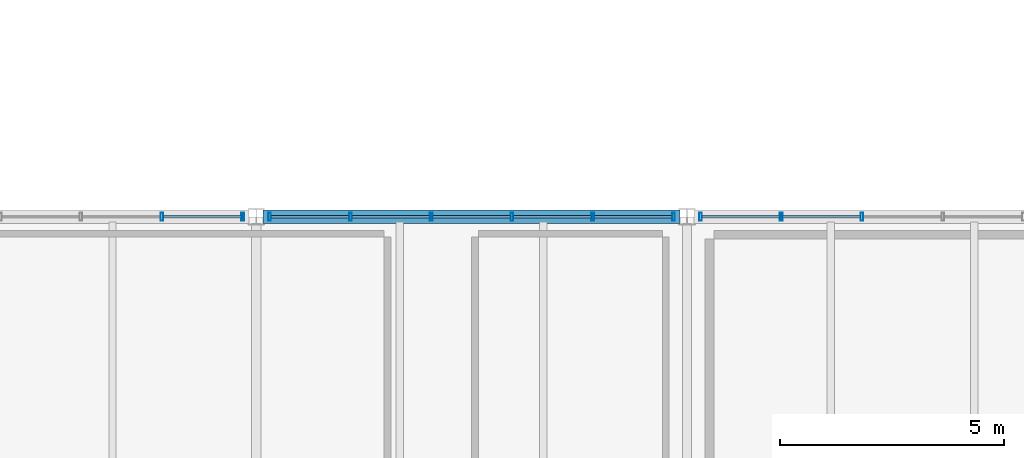
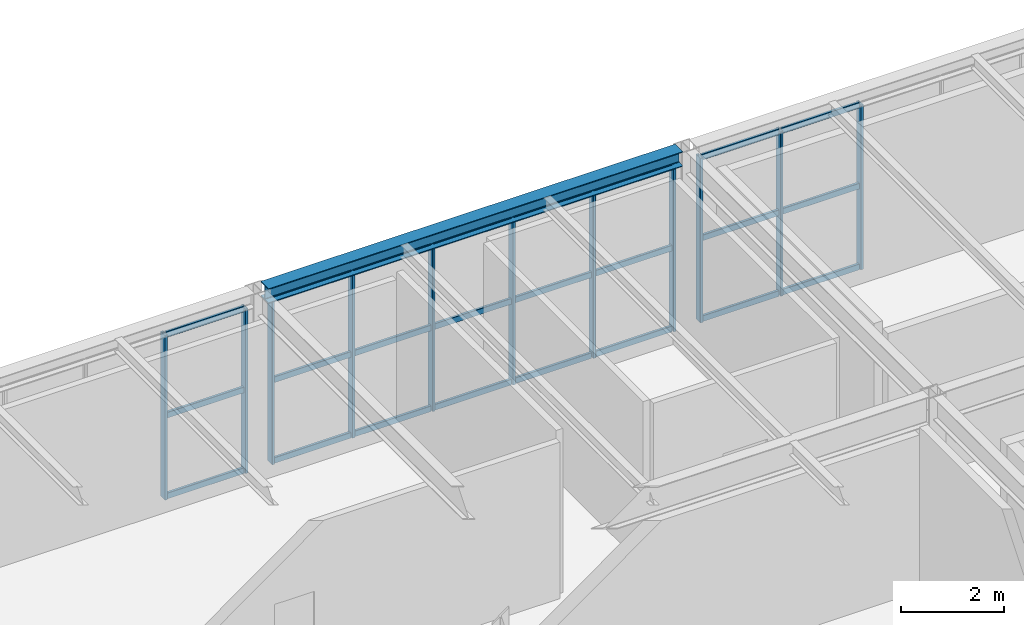
# One storey, part 64 of 170: 35 members, 1 beam, 3 elements without a shape of their own.
"""IFC4 building model written with IfcOpenShell, lengths in metres."""

from ifc_helpers import new_model, si_unit, direction, frame, origin, origin_2d, place, context, subcontext, project, spatial, hollow_rectangle, i_section, extrude, material, material_profile, profile_set, type_object, element, aggregate, save


model = new_model("IFC4")

# Units and contexts
model_context = context("Model", 3, precision=1e-05, world=origin(), true_north=direction((0.0, 1.0)))
body_context = subcontext(model_context, "Body", "Model", "MODEL_VIEW")
ifc_project = project(units=[si_unit("LENGTHUNIT", "METRE"), si_unit("AREAUNIT", "SQUARE_METRE"), si_unit("VOLUMEUNIT", "CUBIC_METRE"), si_unit("PLANEANGLEUNIT", "RADIAN"), si_unit("MASSUNIT", "GRAM", prefix="KILO")], contexts=[model_context])

# Site, building, storey
site_placement = place(None, origin())
site = spatial("IfcSite", under=ifc_project, at=site_placement, CompositionType="ELEMENT")
building_placement = place(site_placement, origin())
building = spatial("IfcBuilding", under=site, at=building_placement, Name="Coralgate Yard Interchange", CompositionType="ELEMENT")
storey_placement = place(building_placement, frame((0.0, 0.0, 6.0)))
storey = spatial("IfcBuildingStorey", under=building, at=storey_placement, Name="L01", CompositionType="ELEMENT", Elevation=6.0)

# Beam
ifc_material_1 = material(Name="Structural steel S355J2", Category="steel")
ifc_material_profile_1 = material_profile(ifc_material_1, i_section(OverallWidth=0.300048828125, OverallDepth=0.35009765625, WebThickness=0.010009765625, FlangeThickness=0.017578125, FilletRadius=0.027099609375, at=origin_2d()), Name="HEA 360")
ifc_profile_set_1 = profile_set([ifc_material_profile_1], Name="Structural steel S355J2")
beam_type = type_object("IfcBeamType", Name="BM-SP-1", PredefinedType="SPANDREL", material=ifc_profile_set_1)
beam_placement = place(storey_placement, frame((67.356201171875, 19.199951171875, 4.074951171875), z_axis=(1.0, 0.0, 0.0), x_axis=(0.0, 1.0, 0.0)))
element("IfcBeam", 1, at=beam_placement, inside=storey, type_object=beam_type, Name="L01 primary grid beam Y2 X7-8", PredefinedType="SPANDREL", context=body_context, shape_type="SweptSolid", body=[
    extrude(i_section(OverallWidth=0.300048828125, OverallDepth=0.35009765625, WebThickness=0.010009765625, FlangeThickness=0.017578125, FilletRadius=0.027099609375, at=origin_2d()), origin(), (0.0, 0.0, 1.0), 9.28759765625),
])

# Curtain wall, members
ifc_material_2 = material(Name="Anodised coastal aluminium and solar-control low-E glass", Category="aluminium")
curtain_wall_type = type_object("IfcCurtainWallType", Name="CW-CW-L01-B", PredefinedType="NOTDEFINED", material=ifc_material_2)
curtain_wall_1_placement = place(storey_placement, origin())
curtain_wall_1 = element("IfcCurtainWall", 2, at=curtain_wall_1_placement, inside=storey, type_object=curtain_wall_type, Name="L01 unitised curtain wall CW-L01-N-06-01", PredefinedType="NOTDEFINED")
ifc_material_3 = material(Name="Anodised coastal aluminium 6063-T6", Category="aluminium")
ifc_material_profile_2 = material_profile(ifc_material_3, hollow_rectangle(XDim=0.06005859375, YDim=0.179931640625, WallThickness=0.00390625, InnerFilletRadius=0.00390625, OuterFilletRadius=0.008056640625, at=origin_2d()), Name="ALU 60x180x4")
ifc_profile_set_2 = profile_set([ifc_material_profile_2], Name="Anodised coastal aluminium 6063-T6")
member_type_1 = type_object("IfcMemberType", Name="MB-MUL-180", PredefinedType="MULLION", material=ifc_profile_set_2)
member_1_placement = place(storey_placement, frame((65.10009765625, 19.199951171875, 0.0), z_axis=(0.0, 0.0, 1.0), x_axis=(1.0, 0.0, 0.0)))
member_1 = element("IfcMember", 3, at=member_1_placement, type_object=member_type_1, Name="CW-L01-N-06-01 vertical mullion 5", PredefinedType="MULLION", context=body_context, shape_type="SweptSolid", body=[
    extrude(hollow_rectangle(XDim=0.06005859375, YDim=0.179931640625, WallThickness=0.00390625, InnerFilletRadius=0.00390625, OuterFilletRadius=0.008056640625, at=origin_2d()), origin(), (0.0, 0.0, 1.0), 3.89990234375),
])
member_2_placement = place(storey_placement, frame((66.89990234375, 19.199951171875, 0.0), z_axis=(0.0, 0.0, 1.0), x_axis=(1.0, 0.0, 0.0)))
member_2 = element("IfcMember", 4, at=member_2_placement, type_object=member_type_1, Name="CW-L01-N-06-01 vertical mullion 6", PredefinedType="MULLION", context=body_context, shape_type="SweptSolid", body=[
    extrude(hollow_rectangle(XDim=0.06005859375, YDim=0.179931640625, WallThickness=0.00390625, InnerFilletRadius=0.00390625, OuterFilletRadius=0.008056640625, at=origin_2d()), origin(), (0.0, 0.0, 1.0), 3.89990234375),
])

curtain_wall_2_placement = place(storey_placement, origin())
curtain_wall_2 = element("IfcCurtainWall", 5, at=curtain_wall_2_placement, inside=storey, type_object=curtain_wall_type, Name="L01 unitised curtain wall CW-L01-N-07-01", PredefinedType="NOTDEFINED")
member_3_placement = place(storey_placement, frame((67.5, 19.199951171875, 0.0), z_axis=(0.0, 0.0, 1.0), x_axis=(1.0, 0.0, 0.0)))
member_3 = element("IfcMember", 6, at=member_3_placement, type_object=member_type_1, Name="CW-L01-N-07-01 vertical mullion 1", PredefinedType="MULLION", context=body_context, shape_type="SweptSolid", body=[
    extrude(hollow_rectangle(XDim=0.06005859375, YDim=0.179931640625, WallThickness=0.00390625, InnerFilletRadius=0.00390625, OuterFilletRadius=0.008056640625, at=origin_2d()), origin(), (0.0, 0.0, 1.0), 3.89990234375),
])
member_4_placement = place(storey_placement, frame((69.300048828125, 19.199951171875, 0.0), z_axis=(0.0, 0.0, 1.0), x_axis=(1.0, 0.0, 0.0)))
member_4 = element("IfcMember", 7, at=member_4_placement, type_object=member_type_1, Name="CW-L01-N-07-01 vertical mullion 2", PredefinedType="MULLION", context=body_context, shape_type="SweptSolid", body=[
    extrude(hollow_rectangle(XDim=0.06005859375, YDim=0.179931640625, WallThickness=0.00390625, InnerFilletRadius=0.00390625, OuterFilletRadius=0.008056640625, at=origin_2d()), origin(), (0.0, 0.0, 1.0), 3.89990234375),
])
member_5_placement = place(storey_placement, frame((71.10009765625, 19.199951171875, 0.0), z_axis=(0.0, 0.0, 1.0), x_axis=(1.0, 0.0, 0.0)))
member_5 = element("IfcMember", 8, at=member_5_placement, type_object=member_type_1, Name="CW-L01-N-07-01 vertical mullion 3", PredefinedType="MULLION", context=body_context, shape_type="SweptSolid", body=[
    extrude(hollow_rectangle(XDim=0.06005859375, YDim=0.179931640625, WallThickness=0.00390625, InnerFilletRadius=0.00390625, OuterFilletRadius=0.008056640625, at=origin_2d()), origin(), (0.0, 0.0, 1.0), 3.89990234375),
])
member_6_placement = place(storey_placement, frame((72.89990234375, 19.199951171875, 0.0), z_axis=(0.0, 0.0, 1.0), x_axis=(1.0, 0.0, 0.0)))
member_6 = element("IfcMember", 9, at=member_6_placement, type_object=member_type_1, Name="CW-L01-N-07-01 vertical mullion 4", PredefinedType="MULLION", context=body_context, shape_type="SweptSolid", body=[
    extrude(hollow_rectangle(XDim=0.06005859375, YDim=0.179931640625, WallThickness=0.00390625, InnerFilletRadius=0.00390625, OuterFilletRadius=0.008056640625, at=origin_2d()), origin(), (0.0, 0.0, 1.0), 3.89990234375),
])
member_7_placement = place(storey_placement, frame((74.699951171875, 19.199951171875, 0.0), z_axis=(0.0, 0.0, 1.0), x_axis=(1.0, 0.0, 0.0)))
member_7 = element("IfcMember", 10, at=member_7_placement, type_object=member_type_1, Name="CW-L01-N-07-01 vertical mullion 5", PredefinedType="MULLION", context=body_context, shape_type="SweptSolid", body=[
    extrude(hollow_rectangle(XDim=0.06005859375, YDim=0.179931640625, WallThickness=0.00390625, InnerFilletRadius=0.00390625, OuterFilletRadius=0.008056640625, at=origin_2d()), origin(), (0.0, 0.0, 1.0), 3.89990234375),
])
member_8_placement = place(storey_placement, frame((76.5, 19.199951171875, 0.0), z_axis=(0.0, 0.0, 1.0), x_axis=(1.0, 0.0, 0.0)))
member_8 = element("IfcMember", 11, at=member_8_placement, type_object=member_type_1, Name="CW-L01-N-07-01 vertical mullion 6", PredefinedType="MULLION", context=body_context, shape_type="SweptSolid", body=[
    extrude(hollow_rectangle(XDim=0.06005859375, YDim=0.179931640625, WallThickness=0.00390625, InnerFilletRadius=0.00390625, OuterFilletRadius=0.008056640625, at=origin_2d()), origin(), (0.0, 0.0, 1.0), 3.89990234375),
])

curtain_wall_3_placement = place(storey_placement, origin())
curtain_wall_3 = element("IfcCurtainWall", 12, at=curtain_wall_3_placement, inside=storey, type_object=curtain_wall_type, Name="L01 unitised curtain wall CW-L01-N-08-01", PredefinedType="NOTDEFINED")
member_9_placement = place(storey_placement, frame((77.10009765625, 19.199951171875, 0.0), z_axis=(0.0, 0.0, 1.0), x_axis=(1.0, 0.0, 0.0)))
member_9 = element("IfcMember", 13, at=member_9_placement, type_object=member_type_1, Name="CW-L01-N-08-01 vertical mullion 1", PredefinedType="MULLION", context=body_context, shape_type="SweptSolid", body=[
    extrude(hollow_rectangle(XDim=0.06005859375, YDim=0.179931640625, WallThickness=0.00390625, InnerFilletRadius=0.00390625, OuterFilletRadius=0.008056640625, at=origin_2d()), origin(), (0.0, 0.0, 1.0), 3.89990234375),
])
member_10_placement = place(storey_placement, frame((78.89990234375, 19.199951171875, 0.0), z_axis=(0.0, 0.0, 1.0), x_axis=(1.0, 0.0, 0.0)))
member_10 = element("IfcMember", 14, at=member_10_placement, type_object=member_type_1, Name="CW-L01-N-08-01 vertical mullion 2", PredefinedType="MULLION", context=body_context, shape_type="SweptSolid", body=[
    extrude(hollow_rectangle(XDim=0.06005859375, YDim=0.179931640625, WallThickness=0.00390625, InnerFilletRadius=0.00390625, OuterFilletRadius=0.008056640625, at=origin_2d()), origin(), (0.0, 0.0, 1.0), 3.89990234375),
])
member_11_placement = place(storey_placement, frame((80.699951171875, 19.199951171875, 0.0), z_axis=(0.0, 0.0, 1.0), x_axis=(1.0, 0.0, 0.0)))
member_11 = element("IfcMember", 15, at=member_11_placement, type_object=member_type_1, Name="CW-L01-N-08-01 vertical mullion 3", PredefinedType="MULLION", context=body_context, shape_type="SweptSolid", body=[
    extrude(hollow_rectangle(XDim=0.06005859375, YDim=0.179931640625, WallThickness=0.00390625, InnerFilletRadius=0.00390625, OuterFilletRadius=0.008056640625, at=origin_2d()), origin(), (0.0, 0.0, 1.0), 3.89990234375),
])

# Member
ifc_material_profile_3 = material_profile(ifc_material_3, hollow_rectangle(XDim=0.06005859375, YDim=0.139892578125, WallThickness=0.00341796875, InnerFilletRadius=0.00341796875, OuterFilletRadius=0.007080078125, at=origin_2d()), Name="ALU 60x140x3.5")
ifc_profile_set_3 = profile_set([ifc_material_profile_3], Name="Anodised coastal aluminium 6063-T6")
member_type_2 = type_object("IfcMemberType", Name="MB-TRN-140", PredefinedType="USERDEFINED", material=ifc_profile_set_3)
member_12_placement = place(storey_placement, frame((65.1298828125, 19.199951171875, 0.034912109375), z_axis=(1.0, 0.0, 0.0), x_axis=(0.0, 1.0, 0.0)))
member_12 = element("IfcMember", 16, at=member_12_placement, type_object=member_type_2, Name="CW-L01-N-06-01 horizontal transom 5-1", ObjectType="TRANSOM", PredefinedType="USERDEFINED", context=body_context, shape_type="SweptSolid", body=[
    extrude(hollow_rectangle(XDim=0.06005859375, YDim=0.139892578125, WallThickness=0.00341796875, InnerFilletRadius=0.00341796875, OuterFilletRadius=0.007080078125, at=origin_2d()), origin(), (0.0, 0.0, 1.0), 1.740234375),
])

member_13_placement = place(storey_placement, frame((65.1298828125, 19.199951171875, 1.949951171875), z_axis=(1.0, 0.0, 0.0), x_axis=(0.0, 1.0, 0.0)))
member_13 = element("IfcMember", 17, at=member_13_placement, type_object=member_type_2, Name="CW-L01-N-06-01 horizontal transom 5-2", ObjectType="TRANSOM", PredefinedType="USERDEFINED", context=body_context, shape_type="SweptSolid", body=[
    extrude(hollow_rectangle(XDim=0.06005859375, YDim=0.139892578125, WallThickness=0.00341796875, InnerFilletRadius=0.00341796875, OuterFilletRadius=0.007080078125, at=origin_2d()), origin(), (0.0, 0.0, 1.0), 1.740234375),
])

member_14_placement = place(storey_placement, frame((65.1298828125, 19.199951171875, 3.864990234375), z_axis=(1.0, 0.0, 0.0), x_axis=(0.0, 1.0, 0.0)))
member_14 = element("IfcMember", 18, at=member_14_placement, type_object=member_type_2, Name="CW-L01-N-06-01 horizontal transom 5-3", ObjectType="TRANSOM", PredefinedType="USERDEFINED", context=body_context, shape_type="SweptSolid", body=[
    extrude(hollow_rectangle(XDim=0.06005859375, YDim=0.139892578125, WallThickness=0.00341796875, InnerFilletRadius=0.00341796875, OuterFilletRadius=0.007080078125, at=origin_2d()), origin(), (0.0, 0.0, 1.0), 1.740234375),
])

aggregate(curtain_wall_1, [member_1, member_2, member_12, member_13, member_14])

member_15_placement = place(storey_placement, frame((67.530029296875, 19.199951171875, 0.034912109375), z_axis=(1.0, 0.0, 0.0), x_axis=(0.0, 1.0, 0.0)))
member_15 = element("IfcMember", 19, at=member_15_placement, type_object=member_type_2, Name="CW-L01-N-07-01 horizontal transom 1-1", ObjectType="TRANSOM", PredefinedType="USERDEFINED", context=body_context, shape_type="SweptSolid", body=[
    extrude(hollow_rectangle(XDim=0.06005859375, YDim=0.139892578125, WallThickness=0.00341796875, InnerFilletRadius=0.00341796875, OuterFilletRadius=0.007080078125, at=origin_2d()), origin(), (0.0, 0.0, 1.0), 1.739990234375),
])

member_16_placement = place(storey_placement, frame((67.530029296875, 19.199951171875, 1.949951171875), z_axis=(1.0, 0.0, 0.0), x_axis=(0.0, 1.0, 0.0)))
member_16 = element("IfcMember", 20, at=member_16_placement, type_object=member_type_2, Name="CW-L01-N-07-01 horizontal transom 1-2", ObjectType="TRANSOM", PredefinedType="USERDEFINED", context=body_context, shape_type="SweptSolid", body=[
    extrude(hollow_rectangle(XDim=0.06005859375, YDim=0.139892578125, WallThickness=0.00341796875, InnerFilletRadius=0.00341796875, OuterFilletRadius=0.007080078125, at=origin_2d()), origin(), (0.0, 0.0, 1.0), 1.739990234375),
])

member_17_placement = place(storey_placement, frame((67.530029296875, 19.199951171875, 3.864990234375), z_axis=(1.0, 0.0, 0.0), x_axis=(0.0, 1.0, 0.0)))
member_17 = element("IfcMember", 21, at=member_17_placement, type_object=member_type_2, Name="CW-L01-N-07-01 horizontal transom 1-3", ObjectType="TRANSOM", PredefinedType="USERDEFINED", context=body_context, shape_type="SweptSolid", body=[
    extrude(hollow_rectangle(XDim=0.06005859375, YDim=0.139892578125, WallThickness=0.00341796875, InnerFilletRadius=0.00341796875, OuterFilletRadius=0.007080078125, at=origin_2d()), origin(), (0.0, 0.0, 1.0), 1.739990234375),
])

member_18_placement = place(storey_placement, frame((69.330078125, 19.199951171875, 0.034912109375), z_axis=(1.0, 0.0, 0.0), x_axis=(0.0, 1.0, 0.0)))
member_18 = element("IfcMember", 22, at=member_18_placement, type_object=member_type_2, Name="CW-L01-N-07-01 horizontal transom 2-1", ObjectType="TRANSOM", PredefinedType="USERDEFINED", context=body_context, shape_type="SweptSolid", body=[
    extrude(hollow_rectangle(XDim=0.06005859375, YDim=0.139892578125, WallThickness=0.00341796875, InnerFilletRadius=0.00341796875, OuterFilletRadius=0.007080078125, at=origin_2d()), origin(), (0.0, 0.0, 1.0), 1.739990234375),
])

member_19_placement = place(storey_placement, frame((69.330078125, 19.199951171875, 1.949951171875), z_axis=(1.0, 0.0, 0.0), x_axis=(0.0, 1.0, 0.0)))
member_19 = element("IfcMember", 23, at=member_19_placement, type_object=member_type_2, Name="CW-L01-N-07-01 horizontal transom 2-2", ObjectType="TRANSOM", PredefinedType="USERDEFINED", context=body_context, shape_type="SweptSolid", body=[
    extrude(hollow_rectangle(XDim=0.06005859375, YDim=0.139892578125, WallThickness=0.00341796875, InnerFilletRadius=0.00341796875, OuterFilletRadius=0.007080078125, at=origin_2d()), origin(), (0.0, 0.0, 1.0), 1.739990234375),
])

member_20_placement = place(storey_placement, frame((69.330078125, 19.199951171875, 3.864990234375), z_axis=(1.0, 0.0, 0.0), x_axis=(0.0, 1.0, 0.0)))
member_20 = element("IfcMember", 24, at=member_20_placement, type_object=member_type_2, Name="CW-L01-N-07-01 horizontal transom 2-3", ObjectType="TRANSOM", PredefinedType="USERDEFINED", context=body_context, shape_type="SweptSolid", body=[
    extrude(hollow_rectangle(XDim=0.06005859375, YDim=0.139892578125, WallThickness=0.00341796875, InnerFilletRadius=0.00341796875, OuterFilletRadius=0.007080078125, at=origin_2d()), origin(), (0.0, 0.0, 1.0), 1.739990234375),
])

member_21_placement = place(storey_placement, frame((71.1298828125, 19.199951171875, 0.034912109375), z_axis=(1.0, 0.0, 0.0), x_axis=(0.0, 1.0, 0.0)))
member_21 = element("IfcMember", 25, at=member_21_placement, type_object=member_type_2, Name="CW-L01-N-07-01 horizontal transom 3-1", ObjectType="TRANSOM", PredefinedType="USERDEFINED", context=body_context, shape_type="SweptSolid", body=[
    extrude(hollow_rectangle(XDim=0.06005859375, YDim=0.139892578125, WallThickness=0.00341796875, InnerFilletRadius=0.00341796875, OuterFilletRadius=0.007080078125, at=origin_2d()), origin(), (0.0, 0.0, 1.0), 1.740234375),
])

member_22_placement = place(storey_placement, frame((71.1298828125, 19.199951171875, 1.949951171875), z_axis=(1.0, 0.0, 0.0), x_axis=(0.0, 1.0, 0.0)))
member_22 = element("IfcMember", 26, at=member_22_placement, type_object=member_type_2, Name="CW-L01-N-07-01 horizontal transom 3-2", ObjectType="TRANSOM", PredefinedType="USERDEFINED", context=body_context, shape_type="SweptSolid", body=[
    extrude(hollow_rectangle(XDim=0.06005859375, YDim=0.139892578125, WallThickness=0.00341796875, InnerFilletRadius=0.00341796875, OuterFilletRadius=0.007080078125, at=origin_2d()), origin(), (0.0, 0.0, 1.0), 1.740234375),
])

member_23_placement = place(storey_placement, frame((71.1298828125, 19.199951171875, 3.864990234375), z_axis=(1.0, 0.0, 0.0), x_axis=(0.0, 1.0, 0.0)))
member_23 = element("IfcMember", 27, at=member_23_placement, type_object=member_type_2, Name="CW-L01-N-07-01 horizontal transom 3-3", ObjectType="TRANSOM", PredefinedType="USERDEFINED", context=body_context, shape_type="SweptSolid", body=[
    extrude(hollow_rectangle(XDim=0.06005859375, YDim=0.139892578125, WallThickness=0.00341796875, InnerFilletRadius=0.00341796875, OuterFilletRadius=0.007080078125, at=origin_2d()), origin(), (0.0, 0.0, 1.0), 1.740234375),
])

member_24_placement = place(storey_placement, frame((72.929931640625, 19.199951171875, 0.034912109375), z_axis=(1.0, 0.0, 0.0), x_axis=(0.0, 1.0, 0.0)))
member_24 = element("IfcMember", 28, at=member_24_placement, type_object=member_type_2, Name="CW-L01-N-07-01 horizontal transom 4-1", ObjectType="TRANSOM", PredefinedType="USERDEFINED", context=body_context, shape_type="SweptSolid", body=[
    extrude(hollow_rectangle(XDim=0.06005859375, YDim=0.139892578125, WallThickness=0.00341796875, InnerFilletRadius=0.00341796875, OuterFilletRadius=0.007080078125, at=origin_2d()), origin(), (0.0, 0.0, 1.0), 1.739990234375),
])

member_25_placement = place(storey_placement, frame((72.929931640625, 19.199951171875, 1.949951171875), z_axis=(1.0, 0.0, 0.0), x_axis=(0.0, 1.0, 0.0)))
member_25 = element("IfcMember", 29, at=member_25_placement, type_object=member_type_2, Name="CW-L01-N-07-01 horizontal transom 4-2", ObjectType="TRANSOM", PredefinedType="USERDEFINED", context=body_context, shape_type="SweptSolid", body=[
    extrude(hollow_rectangle(XDim=0.06005859375, YDim=0.139892578125, WallThickness=0.00341796875, InnerFilletRadius=0.00341796875, OuterFilletRadius=0.007080078125, at=origin_2d()), origin(), (0.0, 0.0, 1.0), 1.739990234375),
])

member_26_placement = place(storey_placement, frame((72.929931640625, 19.199951171875, 3.864990234375), z_axis=(1.0, 0.0, 0.0), x_axis=(0.0, 1.0, 0.0)))
member_26 = element("IfcMember", 30, at=member_26_placement, type_object=member_type_2, Name="CW-L01-N-07-01 horizontal transom 4-3", ObjectType="TRANSOM", PredefinedType="USERDEFINED", context=body_context, shape_type="SweptSolid", body=[
    extrude(hollow_rectangle(XDim=0.06005859375, YDim=0.139892578125, WallThickness=0.00341796875, InnerFilletRadius=0.00341796875, OuterFilletRadius=0.007080078125, at=origin_2d()), origin(), (0.0, 0.0, 1.0), 1.739990234375),
])

member_27_placement = place(storey_placement, frame((74.72998046875, 19.199951171875, 0.034912109375), z_axis=(1.0, 0.0, 0.0), x_axis=(0.0, 1.0, 0.0)))
member_27 = element("IfcMember", 31, at=member_27_placement, type_object=member_type_2, Name="CW-L01-N-07-01 horizontal transom 5-1", ObjectType="TRANSOM", PredefinedType="USERDEFINED", context=body_context, shape_type="SweptSolid", body=[
    extrude(hollow_rectangle(XDim=0.06005859375, YDim=0.139892578125, WallThickness=0.00341796875, InnerFilletRadius=0.00341796875, OuterFilletRadius=0.007080078125, at=origin_2d()), origin(), (0.0, 0.0, 1.0), 1.739990234375),
])

member_28_placement = place(storey_placement, frame((74.72998046875, 19.199951171875, 1.949951171875), z_axis=(1.0, 0.0, 0.0), x_axis=(0.0, 1.0, 0.0)))
member_28 = element("IfcMember", 32, at=member_28_placement, type_object=member_type_2, Name="CW-L01-N-07-01 horizontal transom 5-2", ObjectType="TRANSOM", PredefinedType="USERDEFINED", context=body_context, shape_type="SweptSolid", body=[
    extrude(hollow_rectangle(XDim=0.06005859375, YDim=0.139892578125, WallThickness=0.00341796875, InnerFilletRadius=0.00341796875, OuterFilletRadius=0.007080078125, at=origin_2d()), origin(), (0.0, 0.0, 1.0), 1.739990234375),
])

member_29_placement = place(storey_placement, frame((74.72998046875, 19.199951171875, 3.864990234375), z_axis=(1.0, 0.0, 0.0), x_axis=(0.0, 1.0, 0.0)))
member_29 = element("IfcMember", 33, at=member_29_placement, type_object=member_type_2, Name="CW-L01-N-07-01 horizontal transom 5-3", ObjectType="TRANSOM", PredefinedType="USERDEFINED", context=body_context, shape_type="SweptSolid", body=[
    extrude(hollow_rectangle(XDim=0.06005859375, YDim=0.139892578125, WallThickness=0.00341796875, InnerFilletRadius=0.00341796875, OuterFilletRadius=0.007080078125, at=origin_2d()), origin(), (0.0, 0.0, 1.0), 1.739990234375),
])

aggregate(curtain_wall_2, [member_3, member_4, member_5, member_6, member_7, member_8, member_15, member_16, member_17, member_18, member_19, member_20, member_21, member_22, member_23, member_24, member_25, member_26, member_27, member_28, member_29])

member_30_placement = place(storey_placement, frame((77.1298828125, 19.199951171875, 0.034912109375), z_axis=(1.0, 0.0, 0.0), x_axis=(0.0, 1.0, 0.0)))
member_30 = element("IfcMember", 34, at=member_30_placement, type_object=member_type_2, Name="CW-L01-N-08-01 horizontal transom 1-1", ObjectType="TRANSOM", PredefinedType="USERDEFINED", context=body_context, shape_type="SweptSolid", body=[
    extrude(hollow_rectangle(XDim=0.06005859375, YDim=0.139892578125, WallThickness=0.00341796875, InnerFilletRadius=0.00341796875, OuterFilletRadius=0.007080078125, at=origin_2d()), origin(), (0.0, 0.0, 1.0), 1.740234375),
])

member_31_placement = place(storey_placement, frame((77.1298828125, 19.199951171875, 1.949951171875), z_axis=(1.0, 0.0, 0.0), x_axis=(0.0, 1.0, 0.0)))
member_31 = element("IfcMember", 35, at=member_31_placement, type_object=member_type_2, Name="CW-L01-N-08-01 horizontal transom 1-2", ObjectType="TRANSOM", PredefinedType="USERDEFINED", context=body_context, shape_type="SweptSolid", body=[
    extrude(hollow_rectangle(XDim=0.06005859375, YDim=0.139892578125, WallThickness=0.00341796875, InnerFilletRadius=0.00341796875, OuterFilletRadius=0.007080078125, at=origin_2d()), origin(), (0.0, 0.0, 1.0), 1.740234375),
])

member_32_placement = place(storey_placement, frame((77.1298828125, 19.199951171875, 3.864990234375), z_axis=(1.0, 0.0, 0.0), x_axis=(0.0, 1.0, 0.0)))
member_32 = element("IfcMember", 36, at=member_32_placement, type_object=member_type_2, Name="CW-L01-N-08-01 horizontal transom 1-3", ObjectType="TRANSOM", PredefinedType="USERDEFINED", context=body_context, shape_type="SweptSolid", body=[
    extrude(hollow_rectangle(XDim=0.06005859375, YDim=0.139892578125, WallThickness=0.00341796875, InnerFilletRadius=0.00341796875, OuterFilletRadius=0.007080078125, at=origin_2d()), origin(), (0.0, 0.0, 1.0), 1.740234375),
])

member_33_placement = place(storey_placement, frame((78.929931640625, 19.199951171875, 0.034912109375), z_axis=(1.0, 0.0, 0.0), x_axis=(0.0, 1.0, 0.0)))
member_33 = element("IfcMember", 37, at=member_33_placement, type_object=member_type_2, Name="CW-L01-N-08-01 horizontal transom 2-1", ObjectType="TRANSOM", PredefinedType="USERDEFINED", context=body_context, shape_type="SweptSolid", body=[
    extrude(hollow_rectangle(XDim=0.06005859375, YDim=0.139892578125, WallThickness=0.00341796875, InnerFilletRadius=0.00341796875, OuterFilletRadius=0.007080078125, at=origin_2d()), origin(), (0.0, 0.0, 1.0), 1.739990234375),
])

member_34_placement = place(storey_placement, frame((78.929931640625, 19.199951171875, 1.949951171875), z_axis=(1.0, 0.0, 0.0), x_axis=(0.0, 1.0, 0.0)))
member_34 = element("IfcMember", 38, at=member_34_placement, type_object=member_type_2, Name="CW-L01-N-08-01 horizontal transom 2-2", ObjectType="TRANSOM", PredefinedType="USERDEFINED", context=body_context, shape_type="SweptSolid", body=[
    extrude(hollow_rectangle(XDim=0.06005859375, YDim=0.139892578125, WallThickness=0.00341796875, InnerFilletRadius=0.00341796875, OuterFilletRadius=0.007080078125, at=origin_2d()), origin(), (0.0, 0.0, 1.0), 1.739990234375),
])

member_35_placement = place(storey_placement, frame((78.929931640625, 19.199951171875, 3.864990234375), z_axis=(1.0, 0.0, 0.0), x_axis=(0.0, 1.0, 0.0)))
member_35 = element("IfcMember", 39, at=member_35_placement, type_object=member_type_2, Name="CW-L01-N-08-01 horizontal transom 2-3", ObjectType="TRANSOM", PredefinedType="USERDEFINED", context=body_context, shape_type="SweptSolid", body=[
    extrude(hollow_rectangle(XDim=0.06005859375, YDim=0.139892578125, WallThickness=0.00341796875, InnerFilletRadius=0.00341796875, OuterFilletRadius=0.007080078125, at=origin_2d()), origin(), (0.0, 0.0, 1.0), 1.739990234375),
])

aggregate(curtain_wall_3, [member_9, member_10, member_11, member_30, member_31, member_32, member_33, member_34, member_35])

save(model, "model.ifc")
